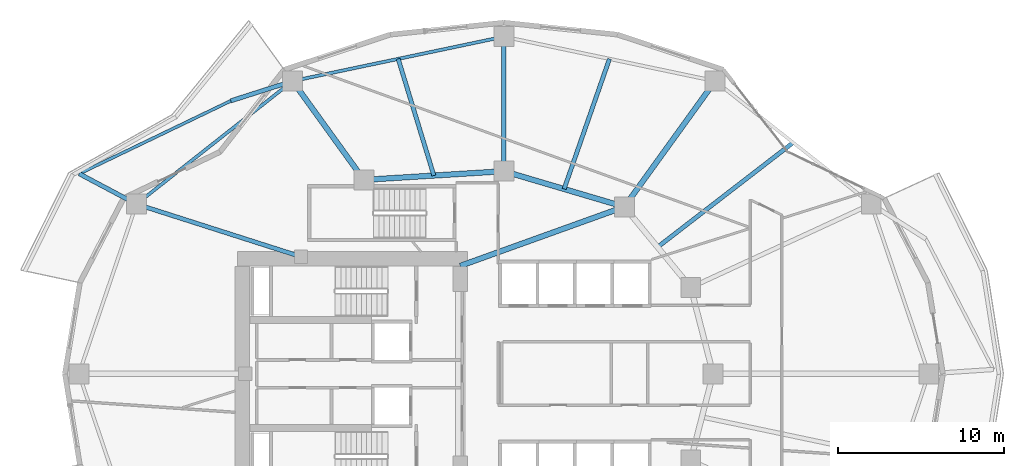
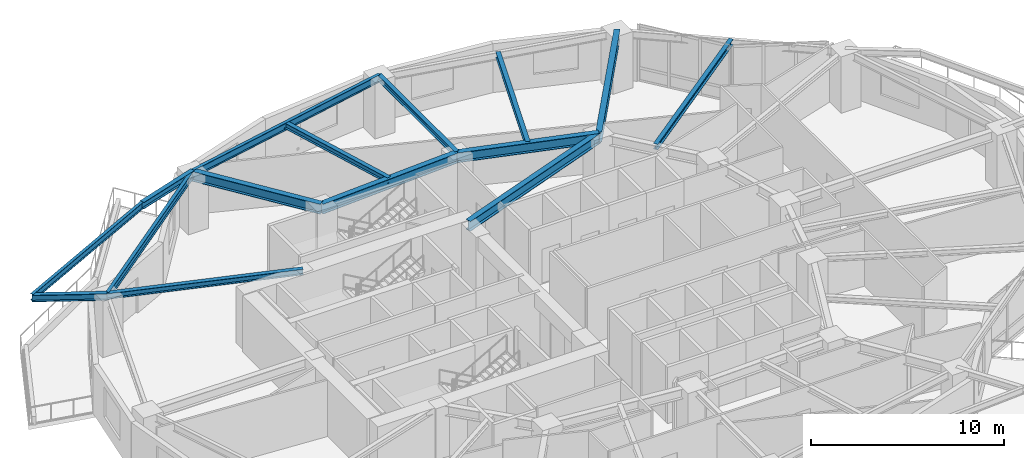
# One storey, part 3 of 13: 15 beams.
"""IFC4 building model written with IfcOpenShell, lengths in metres."""

from ifc_helpers import new_model, si_unit, direction, frame, origin, origin_2d, place, context, subcontext, project, spatial, i_section, extrude, material, material_profile, profile_set, type_object, element, save


model = new_model("IFC4")

# Units and contexts
model_context = context("Model", 3, precision=1e-05, world=origin(), true_north=direction((0.0, 1.0)))
body_context = subcontext(model_context, "Body", "Model", "MODEL_VIEW")
ifc_project = project(units=[si_unit("LENGTHUNIT", "METRE"), si_unit("AREAUNIT", "SQUARE_METRE"), si_unit("VOLUMEUNIT", "CUBIC_METRE"), si_unit("PLANEANGLEUNIT", "RADIAN"), si_unit("MASSUNIT", "GRAM", prefix="KILO")], contexts=[model_context])

# Site, building, storey
site_placement = place(None, origin())
site = spatial("IfcSite", under=ifc_project, at=site_placement, CompositionType="ELEMENT")
building_placement = place(site_placement, origin())
building = spatial("IfcBuilding", under=site, at=building_placement, Name="Kolvaren Gate Tower and Convention Centre", CompositionType="ELEMENT")
storey_placement = place(building_placement, frame((0.0, 0.0, 76.550048828125)))
storey = spatial("IfcBuildingStorey", under=building, at=storey_placement, Name="L18", CompositionType="ELEMENT", Elevation=76.550048828125)

# Beams
ifc_material = material(Name="Structural steel ASTM A992 Grade 345 MPa", Category="steel")
ifc_material_profile_1 = material_profile(ifc_material, i_section(OverallWidth=0.260009765625, OverallDepth=0.419921875, WebThickness=0.013427734375, FlangeThickness=0.0224609375, at=origin_2d()), Name="W410X132")
ifc_profile_set_1 = profile_set([ifc_material_profile_1], Name="Structural steel ASTM A992 Grade 345 MPa")
beam_type_1 = type_object("IfcBeamType", Name="STR-BM-W410X132", PredefinedType="BEAM", material=ifc_profile_set_1)
for number, where, z_axis, x_axis, name in (
    (1, (17.40380859375, 44.627197265625, 3.3603515625), (-0.952402340544, -0.304843864505, 0.0), (0.304843864505, -0.952402340544, 0.0), "Tower L19 Planted Balcony Outrigger Cantilever BC-1A"),
    (2, (8.001220703125, 37.218505859375, 3.3603515625), (-0.883204047485, 0.468988923649, 0.0), (-0.468988923649, -0.883204047485, 0.0), "Tower L19 Planted Balcony Outrigger Cantilever BC-1B"),
):
    element("IfcBeam", number, at=place(storey_placement, frame(where, z_axis=z_axis, x_axis=x_axis)), inside=storey, type_object=beam_type_1, Name=name, PredefinedType="BEAM", context=body_context, shape_type="SweptSolid", body=[
        extrude(i_section(OverallWidth=0.260009765625, OverallDepth=0.419921875, WebThickness=0.013427734375, FlangeThickness=0.0224609375, at=origin_2d()), origin(), (0.0, 0.0, 1.0), 3.900146484375),
    ])
ifc_material_profile_2 = material_profile(ifc_material, i_section(OverallWidth=0.327880859375, OverallDepth=0.6279296875, WebThickness=0.0166015625, FlangeThickness=0.027587890625, at=origin_2d()), Name="W610X217")
ifc_profile_set_2 = profile_set([ifc_material_profile_2], Name="Structural steel ASTM A992 Grade 345 MPa")
beam_type_2 = type_object("IfcBeamType", Name="STR-BM-W610X217", PredefinedType="BEAM", material=ifc_profile_set_2)
beam_1_placement = place(storey_placement, frame((37.381591796875, 37.054931640625, 3.255859375), z_axis=(-0.958980837827, 0.283470902706, 0.0), x_axis=(-0.283470902706, -0.958980837827, 0.0)))
element("IfcBeam", 3, at=beam_1_placement, inside=storey, type_object=beam_type_2, Name="Tower L18 Primary Ring Girder G-03", PredefinedType="BEAM", context=body_context, shape_type="SweptSolid", body=[
    extrude(i_section(OverallWidth=0.327880859375, OverallDepth=0.6279296875, WebThickness=0.0166015625, FlangeThickness=0.027587890625, at=origin_2d()), origin(), (0.0, 0.0, 1.0), 7.56689453125),
])
beam_2_placement = place(storey_placement, frame((30.125, 39.199951171875, 3.255859375), z_axis=(-0.998078258568, -0.06196603726, 0.0), x_axis=(0.06196603726, -0.998078258568, 0.0)))
element("IfcBeam", 4, at=beam_2_placement, inside=storey, type_object=beam_type_2, Name="Tower L18 Primary Ring Girder G-04", PredefinedType="BEAM", context=body_context, shape_type="SweptSolid", body=[
    extrude(i_section(OverallWidth=0.327880859375, OverallDepth=0.6279296875, WebThickness=0.0166015625, FlangeThickness=0.027587890625, at=origin_2d()), origin(), (0.0, 0.0, 1.0), 8.443115234375),
])
beam_3_placement = place(storey_placement, frame((27.5, 33.5, 3.255859375), z_axis=(0.940961479908, 0.338513653093, 0.0), x_axis=(-0.338513653093, 0.940961479908, 0.0)))
element("IfcBeam", 5, at=beam_3_placement, inside=storey, type_object=beam_type_2, Name="Tower L18 Primary Ring Girder G-10", PredefinedType="BEAM", context=body_context, shape_type="SweptSolid", body=[
    extrude(i_section(OverallWidth=0.327880859375, OverallDepth=0.6279296875, WebThickness=0.0166015625, FlangeThickness=0.027587890625, at=origin_2d()), origin(), (0.0, 0.0, 1.0), 10.501708984375),
])
beam_4_placement = place(storey_placement, frame((37.381591796875, 37.054931640625, 3.255859375), z_axis=(0.585207971848, 0.810883240477, 0.0), x_axis=(-0.810883240477, 0.585207971848, 0.0)))
element("IfcBeam", 6, at=beam_4_placement, inside=storey, type_object=beam_type_2, Name="Tower L18 Radial Floor Girder RB-03", PredefinedType="BEAM", context=body_context, shape_type="SweptSolid", body=[
    extrude(i_section(OverallWidth=0.327880859375, OverallDepth=0.6279296875, WebThickness=0.0166015625, FlangeThickness=0.027587890625, at=origin_2d()), origin(), (0.0, 0.0, 1.0), 9.33837890625),
])
beam_5_placement = place(storey_placement, frame((21.697998046875, 38.6767578125, 3.255859375), z_axis=(-0.585190474102, 0.810895868173, 0.0), x_axis=(-0.810895868173, -0.585190474102, 0.0)))
element("IfcBeam", 7, at=beam_5_placement, inside=storey, type_object=beam_type_2, Name="Tower L18 Radial Floor Girder RB-05", PredefinedType="BEAM", context=body_context, shape_type="SweptSolid", body=[
    extrude(i_section(OverallWidth=0.327880859375, OverallDepth=0.6279296875, WebThickness=0.0166015625, FlangeThickness=0.027587890625, at=origin_2d()), origin(), (0.0, 0.0, 1.0), 7.338134765625),
])
ifc_material_profile_3 = material_profile(ifc_material, i_section(OverallWidth=0.2548828125, OverallDepth=0.35693359375, WebThickness=0.010498046875, FlangeThickness=0.018310546875, at=origin_2d()), Name="W360X101")
ifc_profile_set_3 = profile_set([ifc_material_profile_3], Name="Structural steel ASTM A992 Grade 345 MPa")
beam_type_3 = type_object("IfcBeamType", Name="STR-JS-W360X101", PredefinedType="JOIST", material=ifc_profile_set_3)
beam_6_placement = place(storey_placement, frame((30.125, 39.199951171875, 3.391357421875), z_axis=(0.0, 1.0, 0.0), x_axis=(-1.0, 0.0, 0.0)))
element("IfcBeam", 8, at=beam_6_placement, inside=storey, type_object=beam_type_3, Name="Tower L18 Radial Floor Girder RB-04", PredefinedType="JOIST", context=body_context, shape_type="SweptSolid", body=[
    extrude(i_section(OverallWidth=0.2548828125, OverallDepth=0.35693359375, WebThickness=0.010498046875, FlangeThickness=0.018310546875, at=origin_2d()), origin(), (0.0, 0.0, 1.0), 8.10009765625),
])
beam_7_placement = place(storey_placement, frame((17.9140625, 34.050048828125, 3.391357421875), z_axis=(-0.952525967456, 0.304457355507, 0.0), x_axis=(-0.304457355507, -0.952525967456, 0.0)))
element("IfcBeam", 9, at=beam_7_placement, inside=storey, type_object=beam_type_3, Name="Tower L18 Radial Floor Girder RB-06", PredefinedType="JOIST", context=body_context, shape_type="SweptSolid", body=[
    extrude(i_section(OverallWidth=0.2548828125, OverallDepth=0.35693359375, WebThickness=0.010498046875, FlangeThickness=0.018310546875, at=origin_2d()), origin(), (0.0, 0.0, 1.0), 10.406982421875),
])
beam_8_placement = place(storey_placement, frame((39.3818359375, 34.627197265625, 3.391357421875), z_axis=(0.791953664744, 0.610581192716, 0.0), x_axis=(-0.610581192716, 0.791953664744, 0.0)))
element("IfcBeam", 10, at=beam_8_placement, inside=storey, type_object=beam_type_3, Name="Tower L18 Secondary Composite Floor Joist J-02.1", PredefinedType="JOIST", context=body_context, shape_type="SweptSolid", body=[
    extrude(i_section(OverallWidth=0.2548828125, OverallDepth=0.35693359375, WebThickness=0.010498046875, FlangeThickness=0.018310546875, at=origin_2d()), origin(), (0.0, 0.0, 1.0), 10.31103515625),
])
beam_9_placement = place(storey_placement, frame((33.75341796875, 38.12744140625, 3.391357421875), z_axis=(0.329233693857, 0.944248470917, 0.0), x_axis=(-0.944248470917, 0.329233693857, 0.0)))
element("IfcBeam", 11, at=beam_9_placement, inside=storey, type_object=beam_type_3, Name="Tower L18 Secondary Composite Floor Joist J-03.1", PredefinedType="JOIST", context=body_context, shape_type="SweptSolid", body=[
    extrude(i_section(OverallWidth=0.2548828125, OverallDepth=0.35693359375, WebThickness=0.010498046875, FlangeThickness=0.018310546875, at=origin_2d()), origin(), (0.0, 0.0, 1.0), 8.298583984375),
])
beam_10_placement = place(storey_placement, frame((25.91162109375, 38.938232421875, 3.391357421875), z_axis=(-0.292298748053, 0.956327058012, 0.0), x_axis=(-0.956327058012, -0.292298748053, 0.0)))
element("IfcBeam", 12, at=beam_10_placement, inside=storey, type_object=beam_type_3, Name="Tower L18 Secondary Composite Floor Joist J-04.1", PredefinedType="JOIST", context=body_context, shape_type="SweptSolid", body=[
    extrude(i_section(OverallWidth=0.2548828125, OverallDepth=0.35693359375, WebThickness=0.010498046875, FlangeThickness=0.018310546875, at=origin_2d()), origin(), (0.0, 0.0, 1.0), 7.345947265625),
])
ifc_material_profile_4 = material_profile(ifc_material, i_section(OverallWidth=0.180908203125, OverallDepth=0.4169921875, WebThickness=0.010986328125, FlangeThickness=0.018310546875, at=origin_2d()), Name="W410X85")
ifc_profile_set_4 = profile_set([ifc_material_profile_4], Name="Structural steel ASTM A992 Grade 345 MPa")
beam_type_4 = type_object("IfcBeamType", Name="STR-SP-W410X85", PredefinedType="SPANDREL", material=ifc_profile_set_4)
beam_11_placement = place(storey_placement, frame((13.689208984375, 43.438232421875, 3.362060546875), z_axis=(-0.90125369106, -0.433291800466, 0.0), x_axis=(0.433291800466, -0.90125369106, 0.0)))
element("IfcBeam", 13, at=beam_11_placement, inside=storey, type_object=beam_type_4, Name="Tower L19 Planted Balcony Header Tie Beam BT-1", PredefinedType="SPANDREL", context=body_context, shape_type="SweptSolid", body=[
    extrude(i_section(OverallWidth=0.180908203125, OverallDepth=0.4169921875, WebThickness=0.010986328125, FlangeThickness=0.018310546875, at=origin_2d()), origin(), (0.0, 0.0, 1.0), 10.13330078125),
])
ifc_material_profile_5 = material_profile(ifc_material, i_section(OverallWidth=0.194091796875, OverallDepth=0.468994140625, WebThickness=0.0126953125, FlangeThickness=0.0205078125, at=origin_2d()), Name="W460X106")
ifc_profile_set_5 = profile_set([ifc_material_profile_5], Name="Structural steel ASTM A992 Grade 345 MPa")
beam_type_5 = type_object("IfcBeamType", Name="STR-SP-W460X106", PredefinedType="SPANDREL", material=ifc_profile_set_5)
beam_12_placement = place(storey_placement, frame((30.125, 47.300048828125, 3.33544921875), z_axis=(-0.97863180809, -0.205620485836, 0.0), x_axis=(0.205620485836, -0.97863180809, 0.0)))
element("IfcBeam", 14, at=beam_12_placement, inside=storey, type_object=beam_type_5, Name="Tower L18 Perimeter Spandrel Beam SP-04", PredefinedType="SPANDREL", context=body_context, shape_type="SweptSolid", body=[
    extrude(i_section(OverallWidth=0.194091796875, OverallDepth=0.468994140625, WebThickness=0.0126953125, FlangeThickness=0.0205078125, at=origin_2d()), origin(), (0.0, 0.0, 1.0), 12.9990234375),
])
beam_13_placement = place(storey_placement, frame((17.40380859375, 44.627197265625, 3.33544921875), z_axis=(-0.785467636887, -0.618902731778, 0.0), x_axis=(0.618902731778, -0.785467636887, 0.0)))
element("IfcBeam", 15, at=beam_13_placement, inside=storey, type_object=beam_type_5, Name="Tower L18 Perimeter Spandrel Beam SP-05", PredefinedType="SPANDREL", context=body_context, shape_type="SweptSolid", body=[
    extrude(i_section(OverallWidth=0.194091796875, OverallDepth=0.468994140625, WebThickness=0.0126953125, FlangeThickness=0.0205078125, at=origin_2d()), origin(), (0.0, 0.0, 1.0), 11.970703125),
])

save(model, "model.ifc")
